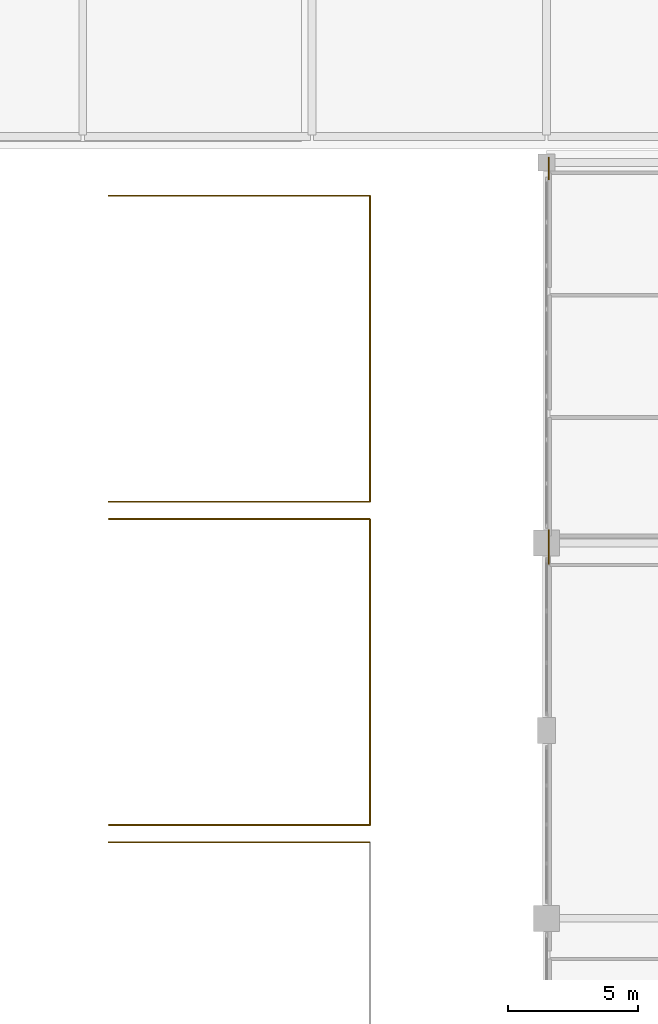
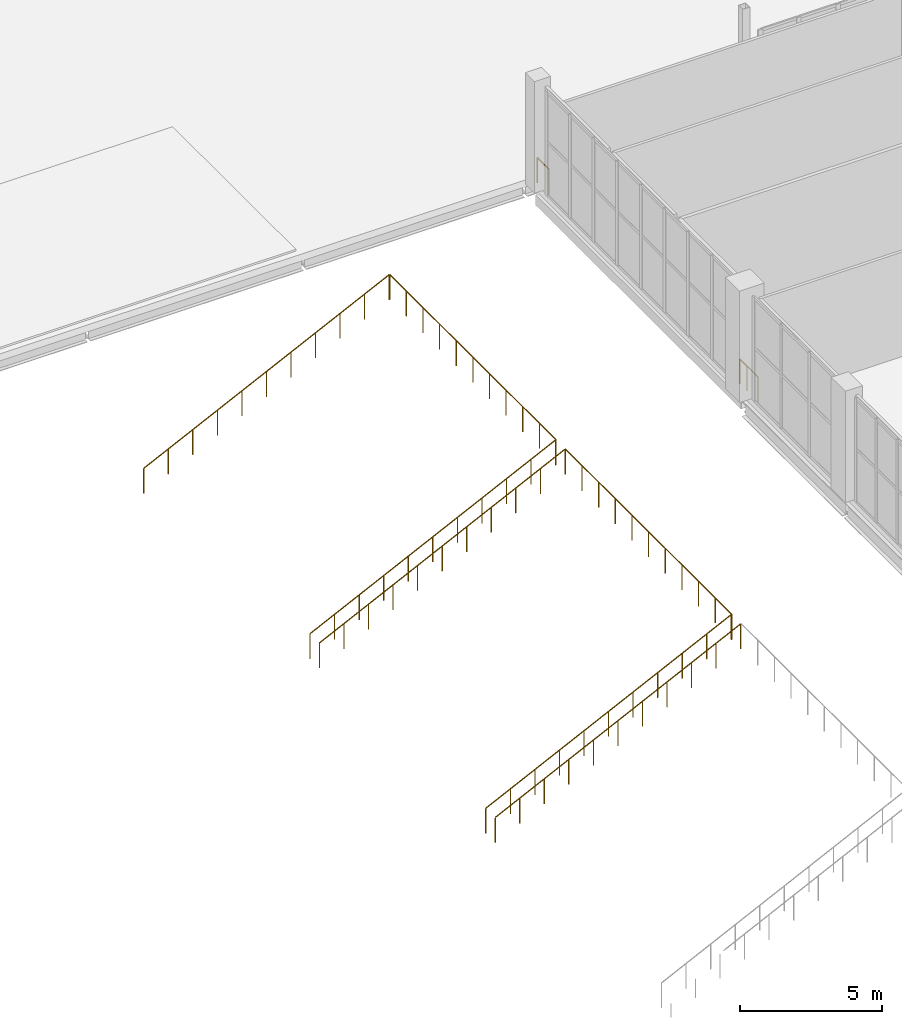
# One storey, part 100 of 104: 10 railings.
"""IFC4 building model written with IfcOpenShell, lengths in metres."""

import ifcopenshell
import ifcopenshell.guid

model = None  # the IFC model being written
_history = None  # IfcOwnerHistory: only IFC2X3 demands one
_inside = {}  # id of a spatial element -> (the spatial element, [elements in it])
_under = {}  # id of a project, library or spatial element -> (it, [spatial elements below it])
_declared = {}  # id of a project -> (the project, [libraries it declares])
_typed = {}  # id of a type object -> (the type object, [elements of that type])
_made_of = {}  # id of a material, layer set ... -> (it, [elements and type objects made of it])


def new_model(schema):
    """Start an empty IFC model of exactly this schema.

    Asked for "IFC4X3", IfcOpenShell would pick the latest addendum, in which some entities
    have other attributes; the version numbers below select the first issue.
    IFC2X3 requires an IfcOwnerHistory on every rooted entity: one is made here for all.
    """
    global model, _history
    if schema == "IFC4X3":
        model = ifcopenshell.file(schema_version=(4, 3, 0, 0))
    else:
        model = ifcopenshell.file(schema=schema)
    _inside.clear()
    _under.clear()
    _declared.clear()
    _typed.clear()
    _made_of.clear()
    _history = None
    if model.schema == "IFC2X3":
        org = make("IfcOrganization", Name="unknown")
        user = make(
            "IfcPersonAndOrganization",
            ThePerson=make("IfcPerson", FamilyName="unknown"),
            TheOrganization=org,
        )
        app = make(
            "IfcApplication",
            ApplicationDeveloper=org,
            Version="unknown",
            ApplicationFullName="unknown",
            ApplicationIdentifier="unknown",
        )
        _history = make(
            "IfcOwnerHistory",
            OwningUser=user,
            OwningApplication=app,
            ChangeAction="ADDED",
            CreationDate=0,
        )
    return model


def make(cls, **values):
    """One entity of the class cls with the attributes given. An attribute that is None is left unset."""
    return model.create_entity(
        cls, **{name: value for name, value in values.items() if value is not None}
    )


def rooted(cls, **values):
    """An entity with a GlobalId (a new one), such as an element, a storey or a relation."""
    return make(cls, GlobalId=ifcopenshell.guid.new(), OwnerHistory=_history, **values)


def si_unit(unit_type, name, prefix=None):
    """IfcSIUnit, for example si_unit("LENGTHUNIT", "METRE", prefix="MILLI")."""
    return make("IfcSIUnit", UnitType=unit_type, Prefix=prefix, Name=name)


def assignment(units):
    """IfcUnitAssignment: the units of a project."""
    return None if units is None else make("IfcUnitAssignment", Units=units)


def point(xyz):
    """IfcCartesianPoint."""
    return None if xyz is None else make("IfcCartesianPoint", Coordinates=xyz)


def direction(xyz):
    """IfcDirection."""
    return None if xyz is None else make("IfcDirection", DirectionRatios=xyz)


def frame(location, z_axis=None, x_axis=None):
    """IfcAxis2Placement3D, a coordinate frame: its origin and axes. An axis left out is left unset."""
    return make(
        "IfcAxis2Placement3D",
        Location=point(location),
        Axis=direction(z_axis),
        RefDirection=direction(x_axis),
    )


def frame_2d(location, x_axis=None):
    """IfcAxis2Placement2D, a coordinate frame in the plane: its origin and x axis."""
    return make(
        "IfcAxis2Placement2D", Location=point(location), RefDirection=direction(x_axis)
    )


def origin():
    """The frame at (0, 0, 0) with its axes left unset."""
    return frame((0.0, 0.0, 0.0))


def origin_2d():
    """The frame at (0, 0) in the plane with its x axis left unset."""
    return frame_2d((0.0, 0.0))


def place(relative_to, where):
    """IfcLocalPlacement: puts the frame where relative to a parent placement (None: the world)."""
    return make(
        "IfcLocalPlacement", PlacementRelTo=relative_to, RelativePlacement=where
    )


def context(
    kind, dimensions, precision=None, world=None, true_north=None, identifier=None
):
    """IfcGeometricRepresentationContext, for example the 3D "Model" context."""
    return make(
        "IfcGeometricRepresentationContext",
        ContextIdentifier=identifier,
        ContextType=kind,
        CoordinateSpaceDimension=dimensions,
        Precision=precision,
        WorldCoordinateSystem=world,
        TrueNorth=true_north,
    )


def subcontext(parent, identifier, kind, view, scale=None):
    """IfcGeometricRepresentationSubContext, for example "Body" below "Model"."""
    return make(
        "IfcGeometricRepresentationSubContext",
        ContextIdentifier=identifier,
        ContextType=kind,
        ParentContext=parent,
        TargetScale=scale,
        TargetView=view,
    )


def project(units=None, contexts=None):
    """IfcProject with its units and contexts."""
    return rooted(
        "IfcProject",
        Name="project",
        RepresentationContexts=contexts,
        UnitsInContext=assignment(units),
    )


def spatial(cls, under=None, at=None, **own):
    """A site, building, storey or space (cls), placed at a placement, below another one or the project."""
    s = rooted(cls, ObjectPlacement=at, **own)
    if under is not None:
        _under.setdefault(under.id(), (under, []))[1].append(s)
    return s


def profile(cls, at=None, kind="AREA", **sizes):
    """A parametric profile (cls). Its sizes go by their IFC names, for example OverallWidth=200.0."""
    return make(cls, ProfileType=kind, Position=at, **sizes)


def circle(**sizes):
    """IfcCircleProfileDef."""
    return profile("IfcCircleProfileDef", **sizes)


def extrude(swept, where, along, depth):
    """IfcExtrudedAreaSolid: the profile swept, set in the frame where, extruded along a direction by depth."""
    return make(
        "IfcExtrudedAreaSolid",
        SweptArea=swept,
        Position=where,
        ExtrudedDirection=direction(along),
        Depth=depth,
    )


def shape(context_of_items, identifier, shape_type, items):
    """IfcShapeRepresentation: the items that make up one representation, for example the "Body"."""
    return make(
        "IfcShapeRepresentation",
        ContextOfItems=context_of_items,
        RepresentationIdentifier=identifier,
        RepresentationType=shape_type,
        Items=items,
    )


def material(Name=None, Category=None):
    """IfcMaterial."""
    return make("IfcMaterial", Name=Name, Category=Category)


def made_of(thing, what):
    """Note that an element or type object is made of a material, layer set ...; save() writes the relation."""
    if what is not None:
        _made_of.setdefault(what.id(), (what, []))[1].append(thing)
    return thing


def type_object(cls, material=None, **own):
    """A type object (cls), such as IfcWallType, which elements share."""
    return made_of(rooted(cls, **own), material)


def element(
    cls,
    number,
    at=None,
    inside=None,
    cuts=None,
    type_object=None,
    material=None,
    context=None,
    identifier="Body",
    shape_type=None,
    held_by="IfcProductDefinitionShape",
    body=None,
    shapes=None,
    **own,
):
    """One element of the class cls, such as IfcWall. Its Tag is "e" and its number.

    at: its placement. inside: the storey or other place that contains it. cuts: it is an
    opening in that element (IfcRelVoidsElement). A single representation is given by context,
    identifier, shape_type and body (its items); several are given by shapes. held_by: the class
    of the entity that holds the representations. save() writes the other relations.
    """
    e = rooted(cls, Tag="e%d" % number, ObjectPlacement=at, **own)
    if body is not None:
        shapes = [shape(context, identifier, shape_type, body)]
    if shapes is not None:
        e.Representation = make(held_by, Representations=shapes)
    if inside is not None:
        _inside.setdefault(inside.id(), (inside, []))[1].append(e)
    if cuts is not None:
        rooted(
            "IfcRelVoidsElement", RelatingBuildingElement=cuts, RelatedOpeningElement=e
        )
    if type_object is not None:
        _typed.setdefault(type_object.id(), (type_object, []))[1].append(e)
    return made_of(e, material)


def aggregate(whole, parts):
    """IfcRelAggregates: a whole, such as a stair, and the parts it consists of."""
    return rooted("IfcRelAggregates", RelatingObject=whole, RelatedObjects=parts)


def save(model, path):
    """Write the relations noted so far, then the file.

    IfcRelAggregates (storeys below a building ...), IfcRelContainedInSpatialStructure (elements
    in a storey), IfcRelDefinesByType, IfcRelAssociatesMaterial and IfcRelDeclares: one each for
    every whole, place, type object, material and project.
    """
    for whole, parts in _under.values():
        aggregate(whole, parts)
    for where, things in _inside.values():
        rooted(
            "IfcRelContainedInSpatialStructure",
            RelatedElements=things,
            RelatingStructure=where,
        )
    for kind, things in _typed.values():
        rooted("IfcRelDefinesByType", RelatedObjects=things, RelatingType=kind)
    for what, things in _made_of.values():
        rooted("IfcRelAssociatesMaterial", RelatedObjects=things, RelatingMaterial=what)
    for by, libraries in _declared.values():
        rooted("IfcRelDeclares", RelatingContext=by, RelatedDefinitions=libraries)
    model.write(path)


model = new_model("IFC4")

# Units and contexts
model_context = context("Model", 3, precision=1e-05, world=origin(), true_north=direction((0.0, 1.0)))
body_context = subcontext(model_context, "Body", "Model", "MODEL_VIEW")
ifc_project = project(units=[si_unit("LENGTHUNIT", "METRE"), si_unit("AREAUNIT", "SQUARE_METRE"), si_unit("VOLUMEUNIT", "CUBIC_METRE"), si_unit("PLANEANGLEUNIT", "RADIAN"), si_unit("MASSUNIT", "GRAM", prefix="KILO")], contexts=[model_context])

# Site, building, storey
site_placement = place(None, origin())
site = spatial("IfcSite", under=ifc_project, at=site_placement, CompositionType="ELEMENT")
building_placement = place(site_placement, origin())
building = spatial("IfcBuilding", under=site, at=building_placement, Name="Koshinbarg Plaza Stadium", CompositionType="ELEMENT")
storey_placement = place(building_placement, frame((0.0, 0.0, 19.800048828125)))
storey = spatial("IfcBuildingStorey", under=building, at=storey_placement, Name="L04", CompositionType="ELEMENT", Elevation=19.800048828125)

# Railings
ifc_material_1 = material(Name="Toughened laminated glass and stainless steel sightline balustrade", Category="steel")
railing_type_1 = type_object("IfcRailingType", Name="RL-BOWL-1100", PredefinedType="BALUSTRADE", material=ifc_material_1)
railing_1_placement = place(storey_placement, frame((189.47998046875, 111.10302734375, 0.0)))
element("IfcRailing", 1, at=railing_1_placement, inside=storey, type_object=railing_type_1, Name="L04 deck edge safety balustrade 0318", PredefinedType="BALUSTRADE", context=body_context, shape_type="SweptSolid", body=[
    extrude(circle(Radius=0.02392578125, at=origin_2d()), frame((0.0, 0.0, 1.076171875), z_axis=(0.0, 1.0, 0.0), x_axis=(-1.0, 0.0, 0.0)), (0.0, 0.0, 1.0), 0.796875),
    extrude(circle(Radius=0.02099609375, at=origin_2d()), origin(), (0.0, 0.0, 1.0), 1.052001953125),
    extrude(circle(Radius=0.02099609375, at=origin_2d()), frame((0.0, 0.796875, 0.0)), (0.0, 0.0, 1.0), 1.052001953125),
])
railing_2_placement = place(storey_placement, frame((189.47998046875, 111.89990234375, 0.0)))
element("IfcRailing", 2, at=railing_2_placement, inside=storey, type_object=railing_type_1, Name="L04 deck edge safety balustrade 0323", PredefinedType="BALUSTRADE", context=body_context, shape_type="SweptSolid", body=[
    extrude(circle(Radius=0.02392578125, at=origin_2d()), frame((0.0, 0.0, 1.076171875), z_axis=(0.0, 1.0, 0.0), x_axis=(-1.0, 0.0, 0.0)), (0.0, 0.0, 1.0), 0.498291015625),
    extrude(circle(Radius=0.02099609375, at=origin_2d()), origin(), (0.0, 0.0, 1.0), 1.052001953125),
    extrude(circle(Radius=0.02099609375, at=origin_2d()), frame((0.0, 0.498291015625, 0.0)), (0.0, 0.0, 1.0), 1.052001953125),
])
railing_3_placement = place(storey_placement, frame((189.47998046875, 125.860595703125, 0.0)))
element("IfcRailing", 3, at=railing_3_placement, inside=storey, type_object=railing_type_1, Name="L04 deck edge safety balustrade 0324", PredefinedType="BALUSTRADE", context=body_context, shape_type="SweptSolid", body=[
    extrude(circle(Radius=0.02392578125, at=origin_2d()), frame((0.0, 0.0, 1.076171875), z_axis=(0.0, 1.0, 0.0), x_axis=(-1.0, 0.0, 0.0)), (0.0, 0.0, 1.0), 0.824462890625),
    extrude(circle(Radius=0.02099609375, at=origin_2d()), origin(), (0.0, 0.0, 1.0), 1.052001953125),
    extrude(circle(Radius=0.02099609375, at=origin_2d()), frame((0.0, 0.824462890625, 0.0)), (0.0, 0.0, 1.0), 1.052001953125),
])
ifc_material_2 = material(Name="Galvanized painted steel guardrail", Category="steel")
railing_type_2 = type_object("IfcRailingType", Name="RL-GUARD-1100", PredefinedType="GUARDRAIL", material=ifc_material_2)
railing_4_placement = place(storey_placement, frame((172.60009765625, 100.419921875, -6.580078125)))
element("IfcRailing", 4, at=railing_4_placement, inside=storey, type_object=railing_type_2, Name="UT-E06 stepped aisle guard R", PredefinedType="GUARDRAIL", context=body_context, shape_type="SweptSolid", body=[
    extrude(circle(Radius=0.02392578125, at=origin_2d()), frame((0.0, 0.0, 1.076171875), z_axis=(0.900110607261, 0.0, 0.435661445043), x_axis=(0.0, 1.0, 0.0)), (0.0, 0.0, 1.0), 11.10986328125),
    extrude(circle(Radius=0.02099609375, at=origin_2d()), origin(), (0.0, 0.0, 1.0), 1.052001953125),
    extrude(circle(Radius=0.02099609375, at=origin_2d()), frame((1.0, 0.0, 0.48388671875)), (0.0, 0.0, 1.0), 1.052001953125),
    extrude(circle(Radius=0.02099609375, at=origin_2d()), frame((2.0, 0.0, 0.968017578125)), (0.0, 0.0, 1.0), 1.052001953125),
    extrude(circle(Radius=0.02099609375, at=origin_2d()), frame((3.0, 0.0, 1.4521484375)), (0.0, 0.0, 1.0), 1.052001953125),
    extrude(circle(Radius=0.02099609375, at=origin_2d()), frame((4.0, 0.0, 1.93603515625)), (0.0, 0.0, 1.0), 1.052001953125),
    extrude(circle(Radius=0.02099609375, at=origin_2d()), frame((5.0, 0.0, 2.419921875)), (0.0, 0.0, 1.0), 1.052001953125),
    extrude(circle(Radius=0.02099609375, at=origin_2d()), frame((6.0, 0.0, 2.904052734375)), (0.0, 0.0, 1.0), 1.052001953125),
    extrude(circle(Radius=0.02099609375, at=origin_2d()), frame((7.0, 0.0, 3.38818359375)), (0.0, 0.0, 1.0), 1.052001953125),
    extrude(circle(Radius=0.02099609375, at=origin_2d()), frame((8.0, 0.0, 3.8720703125)), (0.0, 0.0, 1.0), 1.052001953125),
    extrude(circle(Radius=0.02099609375, at=origin_2d()), frame((9.0, 0.0, 4.35595703125)), (0.0, 0.0, 1.0), 1.052001953125),
    extrude(circle(Radius=0.02099609375, at=origin_2d()), frame((10.0, 0.0, 4.840087890625)), (0.0, 0.0, 1.0), 1.052001953125),
])
railing_5_placement = place(storey_placement, frame((182.6201171875, 101.080078125, -1.739990234375)))
element("IfcRailing", 5, at=railing_5_placement, inside=storey, type_object=railing_type_2, Name="UT-E07 rear stand guard", PredefinedType="GUARDRAIL", context=body_context, shape_type="SweptSolid", body=[
    extrude(circle(Radius=0.02392578125, at=origin_2d()), frame((0.0, 0.0, 1.076171875), z_axis=(0.0, 1.0, 0.0), x_axis=(-1.0, 0.0, 0.0)), (0.0, 0.0, 1.0), 11.739990234375),
    extrude(circle(Radius=0.02099609375, at=origin_2d()), origin(), (0.0, 0.0, 1.0), 1.052001953125),
    extrude(circle(Radius=0.02099609375, at=origin_2d()), frame((0.0, 1.174072265625, 0.0)), (0.0, 0.0, 1.0), 1.052001953125),
    extrude(circle(Radius=0.02099609375, at=origin_2d()), frame((0.0, 2.347900390625, 0.0)), (0.0, 0.0, 1.0), 1.052001953125),
    extrude(circle(Radius=0.02099609375, at=origin_2d()), frame((0.0, 3.52197265625, 0.0)), (0.0, 0.0, 1.0), 1.052001953125),
    extrude(circle(Radius=0.02099609375, at=origin_2d()), frame((0.0, 4.696044921875, 0.0)), (0.0, 0.0, 1.0), 1.052001953125),
    extrude(circle(Radius=0.02099609375, at=origin_2d()), frame((0.0, 5.8701171875, 0.0)), (0.0, 0.0, 1.0), 1.052001953125),
    extrude(circle(Radius=0.02099609375, at=origin_2d()), frame((0.0, 7.0439453125, 0.0)), (0.0, 0.0, 1.0), 1.052001953125),
    extrude(circle(Radius=0.02099609375, at=origin_2d()), frame((0.0, 8.218017578125, 0.0)), (0.0, 0.0, 1.0), 1.052001953125),
    extrude(circle(Radius=0.02099609375, at=origin_2d()), frame((0.0, 9.39208984375, 0.0)), (0.0, 0.0, 1.0), 1.052001953125),
    extrude(circle(Radius=0.02099609375, at=origin_2d()), frame((0.0, 10.56591796875, 0.0)), (0.0, 0.0, 1.0), 1.052001953125),
    extrude(circle(Radius=0.02099609375, at=origin_2d()), frame((0.0, 11.739990234375, 0.0)), (0.0, 0.0, 1.0), 1.052001953125),
])
for number, where, name in (
    (6, (172.60009765625, 101.080078125, -6.580078125), "UT-E07 stepped aisle guard L"),
    (7, (172.60009765625, 112.820068359375, -6.580078125), "UT-E07 stepped aisle guard R"),
):
    element("IfcRailing", number, at=place(storey_placement, frame(where)), inside=storey, type_object=railing_type_2, Name=name, PredefinedType="GUARDRAIL", context=body_context, shape_type="SweptSolid", body=[
        extrude(circle(Radius=0.02392578125, at=origin_2d()), frame((0.0, 0.0, 1.076171875), z_axis=(0.900110607261, 0.0, 0.435661445043), x_axis=(0.0, 1.0, 0.0)), (0.0, 0.0, 1.0), 11.10986328125),
        extrude(circle(Radius=0.02099609375, at=origin_2d()), origin(), (0.0, 0.0, 1.0), 1.052001953125),
        extrude(circle(Radius=0.02099609375, at=origin_2d()), frame((1.0, 0.0, 0.48388671875)), (0.0, 0.0, 1.0), 1.052001953125),
        extrude(circle(Radius=0.02099609375, at=origin_2d()), frame((2.0, 0.0, 0.968017578125)), (0.0, 0.0, 1.0), 1.052001953125),
        extrude(circle(Radius=0.02099609375, at=origin_2d()), frame((3.0, 0.0, 1.4521484375)), (0.0, 0.0, 1.0), 1.052001953125),
        extrude(circle(Radius=0.02099609375, at=origin_2d()), frame((4.0, 0.0, 1.93603515625)), (0.0, 0.0, 1.0), 1.052001953125),
        extrude(circle(Radius=0.02099609375, at=origin_2d()), frame((5.0, 0.0, 2.419921875)), (0.0, 0.0, 1.0), 1.052001953125),
        extrude(circle(Radius=0.02099609375, at=origin_2d()), frame((6.0, 0.0, 2.904052734375)), (0.0, 0.0, 1.0), 1.052001953125),
        extrude(circle(Radius=0.02099609375, at=origin_2d()), frame((7.0, 0.0, 3.38818359375)), (0.0, 0.0, 1.0), 1.052001953125),
        extrude(circle(Radius=0.02099609375, at=origin_2d()), frame((8.0, 0.0, 3.8720703125)), (0.0, 0.0, 1.0), 1.052001953125),
        extrude(circle(Radius=0.02099609375, at=origin_2d()), frame((9.0, 0.0, 4.35595703125)), (0.0, 0.0, 1.0), 1.052001953125),
        extrude(circle(Radius=0.02099609375, at=origin_2d()), frame((10.0, 0.0, 4.840087890625)), (0.0, 0.0, 1.0), 1.052001953125),
    ])
railing_6_placement = place(storey_placement, frame((182.6201171875, 113.47998046875, -1.739990234375)))
element("IfcRailing", 8, at=railing_6_placement, inside=storey, type_object=railing_type_2, Name="UT-E08 rear stand guard", PredefinedType="GUARDRAIL", context=body_context, shape_type="SweptSolid", body=[
    extrude(circle(Radius=0.02392578125, at=origin_2d()), frame((0.0, 0.0, 1.076171875), z_axis=(0.0, 1.0, 0.0), x_axis=(-1.0, 0.0, 0.0)), (0.0, 0.0, 1.0), 11.739990234375),
    extrude(circle(Radius=0.02099609375, at=origin_2d()), origin(), (0.0, 0.0, 1.0), 1.052001953125),
    extrude(circle(Radius=0.02099609375, at=origin_2d()), frame((0.0, 1.174072265625, 0.0)), (0.0, 0.0, 1.0), 1.052001953125),
    extrude(circle(Radius=0.02099609375, at=origin_2d()), frame((0.0, 2.347900390625, 0.0)), (0.0, 0.0, 1.0), 1.052001953125),
    extrude(circle(Radius=0.02099609375, at=origin_2d()), frame((0.0, 3.52197265625, 0.0)), (0.0, 0.0, 1.0), 1.052001953125),
    extrude(circle(Radius=0.02099609375, at=origin_2d()), frame((0.0, 4.696044921875, 0.0)), (0.0, 0.0, 1.0), 1.052001953125),
    extrude(circle(Radius=0.02099609375, at=origin_2d()), frame((0.0, 5.8701171875, 0.0)), (0.0, 0.0, 1.0), 1.052001953125),
    extrude(circle(Radius=0.02099609375, at=origin_2d()), frame((0.0, 7.0439453125, 0.0)), (0.0, 0.0, 1.0), 1.052001953125),
    extrude(circle(Radius=0.02099609375, at=origin_2d()), frame((0.0, 8.218017578125, 0.0)), (0.0, 0.0, 1.0), 1.052001953125),
    extrude(circle(Radius=0.02099609375, at=origin_2d()), frame((0.0, 9.39208984375, 0.0)), (0.0, 0.0, 1.0), 1.052001953125),
    extrude(circle(Radius=0.02099609375, at=origin_2d()), frame((0.0, 10.56591796875, 0.0)), (0.0, 0.0, 1.0), 1.052001953125),
    extrude(circle(Radius=0.02099609375, at=origin_2d()), frame((0.0, 11.739990234375, 0.0)), (0.0, 0.0, 1.0), 1.052001953125),
])
for number, where, name in (
    (9, (172.60009765625, 113.47998046875, -6.580078125), "UT-E08 stepped aisle guard L"),
    (10, (172.60009765625, 125.219970703125, -6.580078125), "UT-E08 stepped aisle guard R"),
):
    element("IfcRailing", number, at=place(storey_placement, frame(where)), inside=storey, type_object=railing_type_2, Name=name, PredefinedType="GUARDRAIL", context=body_context, shape_type="SweptSolid", body=[
        extrude(circle(Radius=0.02392578125, at=origin_2d()), frame((0.0, 0.0, 1.076171875), z_axis=(0.900110607261, 0.0, 0.435661445043), x_axis=(0.0, 1.0, 0.0)), (0.0, 0.0, 1.0), 11.10986328125),
        extrude(circle(Radius=0.02099609375, at=origin_2d()), origin(), (0.0, 0.0, 1.0), 1.052001953125),
        extrude(circle(Radius=0.02099609375, at=origin_2d()), frame((1.0, 0.0, 0.48388671875)), (0.0, 0.0, 1.0), 1.052001953125),
        extrude(circle(Radius=0.02099609375, at=origin_2d()), frame((2.0, 0.0, 0.968017578125)), (0.0, 0.0, 1.0), 1.052001953125),
        extrude(circle(Radius=0.02099609375, at=origin_2d()), frame((3.0, 0.0, 1.4521484375)), (0.0, 0.0, 1.0), 1.052001953125),
        extrude(circle(Radius=0.02099609375, at=origin_2d()), frame((4.0, 0.0, 1.93603515625)), (0.0, 0.0, 1.0), 1.052001953125),
        extrude(circle(Radius=0.02099609375, at=origin_2d()), frame((5.0, 0.0, 2.419921875)), (0.0, 0.0, 1.0), 1.052001953125),
        extrude(circle(Radius=0.02099609375, at=origin_2d()), frame((6.0, 0.0, 2.904052734375)), (0.0, 0.0, 1.0), 1.052001953125),
        extrude(circle(Radius=0.02099609375, at=origin_2d()), frame((7.0, 0.0, 3.38818359375)), (0.0, 0.0, 1.0), 1.052001953125),
        extrude(circle(Radius=0.02099609375, at=origin_2d()), frame((8.0, 0.0, 3.8720703125)), (0.0, 0.0, 1.0), 1.052001953125),
        extrude(circle(Radius=0.02099609375, at=origin_2d()), frame((9.0, 0.0, 4.35595703125)), (0.0, 0.0, 1.0), 1.052001953125),
        extrude(circle(Radius=0.02099609375, at=origin_2d()), frame((10.0, 0.0, 4.840087890625)), (0.0, 0.0, 1.0), 1.052001953125),
    ])

save(model, "model.ifc")
